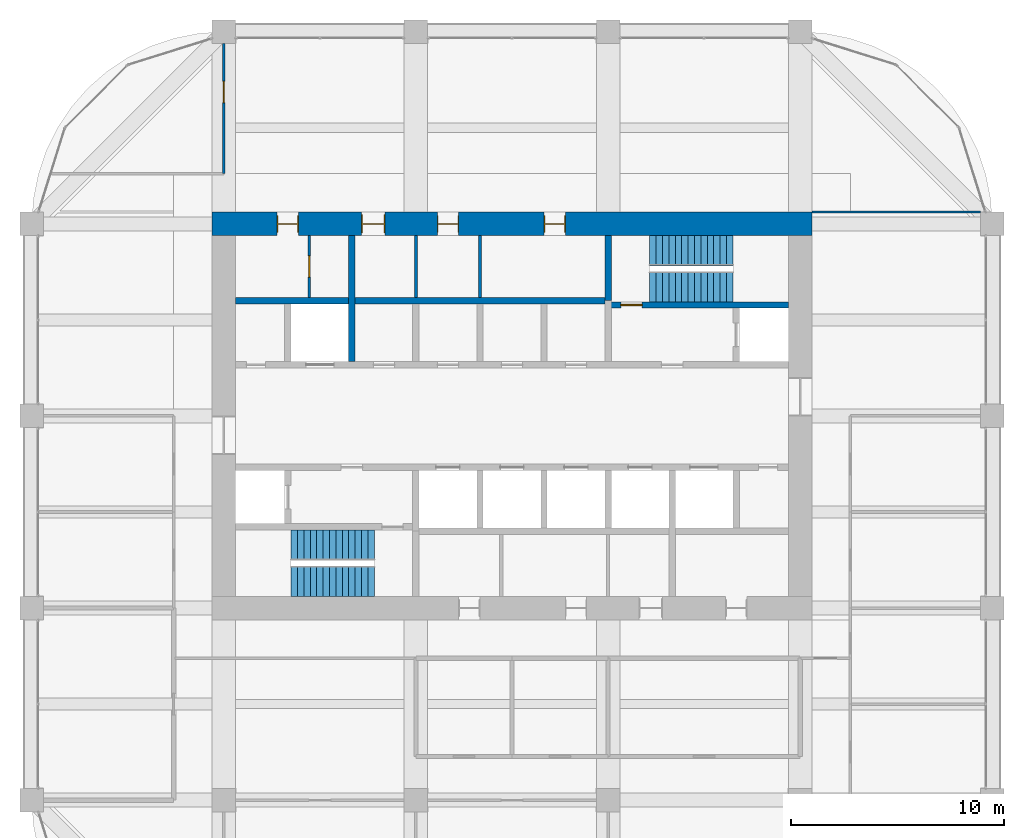
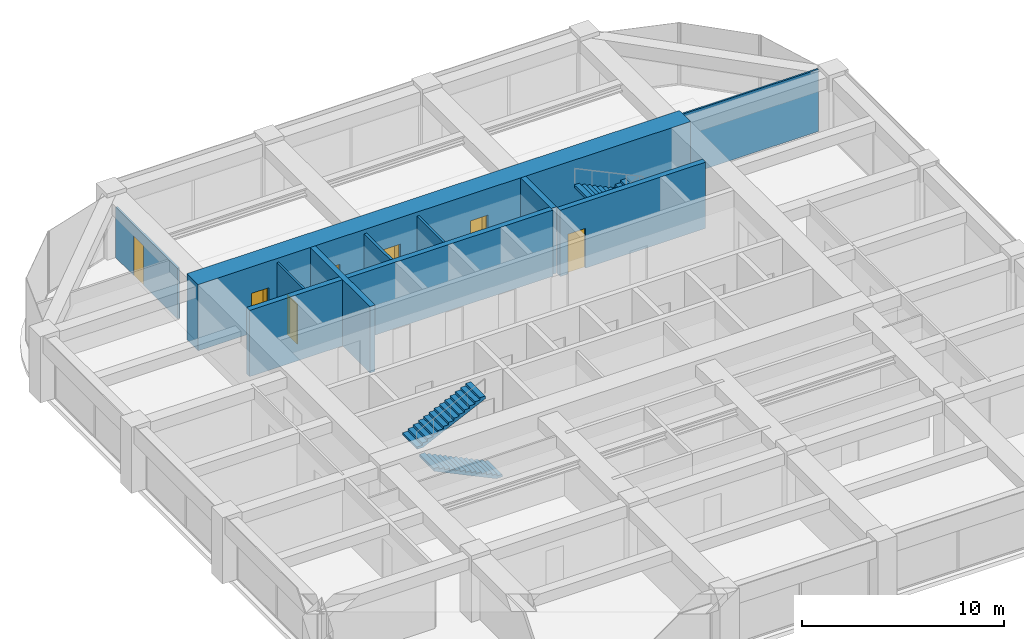
# One storey, part 43 of 44: 10 walls, 7 doors, 4 stair flights, 7 openings, 2 elements without a shape of their own.
"""IFC4 building model written with IfcOpenShell, lengths in metres."""

from ifc_helpers import new_model, si_unit, direction, frame, frame_2d, origin, place, context, subcontext, project, spatial, polyline, rectangle, outline, extrude, material, layer, layer_set, type_object, element, fill, aggregate, save


model = new_model("IFC4")

# Units and contexts
model_context = context("Model", 3, precision=1e-05, world=origin(), true_north=direction((0.0, 1.0)))
body_context = subcontext(model_context, "Body", "Model", "MODEL_VIEW")
ifc_project = project(units=[si_unit("LENGTHUNIT", "METRE"), si_unit("AREAUNIT", "SQUARE_METRE"), si_unit("VOLUMEUNIT", "CUBIC_METRE"), si_unit("PLANEANGLEUNIT", "RADIAN"), si_unit("MASSUNIT", "GRAM", prefix="KILO")], contexts=[model_context])

# Site, building, storey
site_placement = place(None, origin())
site = spatial("IfcSite", under=ifc_project, at=site_placement, CompositionType="ELEMENT")
building_placement = place(site_placement, origin())
building = spatial("IfcBuilding", under=site, at=building_placement, Name="Zorevar Civic Tower", CompositionType="ELEMENT")
storey_placement = place(building_placement, frame((0.0, 0.0, 263.39990234375)))
storey = spatial("IfcBuildingStorey", under=building, at=storey_placement, Name="L64", CompositionType="ELEMENT", Elevation=263.39990234375)

# Wall, openings, doors
ifc_material_1 = material(Name="Concrete C50/60", Category="concrete")
ifc_layer_1 = layer(ifc_material_1, 1.10009765625)
ifc_layer_set_1 = layer_set([ifc_layer_1], Name="Core wall 1100")
wall_type_1 = type_object("IfcWallType", Name="Core wall 1100", PredefinedType="SHEAR", material=ifc_layer_set_1)
wall_1_placement = place(storey_placement, frame((45.550048828125, 36.0, 0.0), z_axis=(0.0, 0.0, 1.0), x_axis=(-1.0, 0.0, 0.0)))
wall_1 = element("IfcWall", 1, at=wall_1_placement, inside=storey, type_object=wall_type_1, Name="Core wall N L64", PredefinedType="SHEAR", context=body_context, shape_type="SweptSolid", body=[
    extrude(rectangle(XDim=28.10009765625, YDim=1.10009765625, at=frame_2d((14.050048828125, 0.0))), origin(), (0.0, 0.0, 1.0), 4.0),
])
opening_1_placement = place(wall_1_placement, frame((11.550048828125, 0.0, 0.0)))
opening_1 = element("IfcOpeningElement", 2, at=opening_1_placement, cuts=wall_1, Name="Opening L64.07", PredefinedType="OPENING", context=body_context, shape_type="SweptSolid", body=[
    extrude(rectangle(XDim=1.0, YDim=2.39990234375, at=frame_2d((0.5, 1.199951171875))), frame((0.0, 0.56005859375, 0.0), z_axis=(0.0, -1.0, 0.0), x_axis=(1.0, 0.0, 0.0)), (0.0, 0.0, 1.0), 1.1201171875),
])
opening_2_placement = place(wall_1_placement, frame((16.550048828125, 0.0, 0.0)))
opening_2 = element("IfcOpeningElement", 3, at=opening_2_placement, cuts=wall_1, Name="Opening L64.08", PredefinedType="OPENING", context=body_context, shape_type="SweptSolid", body=[
    extrude(rectangle(XDim=1.0, YDim=2.39990234375, at=frame_2d((0.5, 1.199951171875))), frame((0.0, 0.56005859375, 0.0), z_axis=(0.0, -1.0, 0.0), x_axis=(1.0, 0.0, 0.0)), (0.0, 0.0, 1.0), 1.1201171875),
])
opening_3_placement = place(wall_1_placement, frame((20.0, 0.0, 0.0)))
opening_3 = element("IfcOpeningElement", 4, at=opening_3_placement, cuts=wall_1, Name="Opening L64.09", PredefinedType="OPENING", context=body_context, shape_type="SweptSolid", body=[
    extrude(rectangle(XDim=1.10009765625, YDim=2.39990234375, at=frame_2d((0.550048828125, 1.199951171875))), frame((0.0, 0.56005859375, 0.0), z_axis=(0.0, -1.0, 0.0), x_axis=(1.0, 0.0, 0.0)), (0.0, 0.0, 1.0), 1.1201171875),
])
opening_4_placement = place(wall_1_placement, frame((24.050048828125, 0.0, 0.0)))
opening_4 = element("IfcOpeningElement", 5, at=opening_4_placement, cuts=wall_1, Name="Opening L64.10", PredefinedType="OPENING", context=body_context, shape_type="SweptSolid", body=[
    extrude(rectangle(XDim=1.0, YDim=2.39990234375, at=frame_2d((0.5, 1.199951171875))), frame((0.0, 0.56005859375, 0.0), z_axis=(0.0, -1.0, 0.0), x_axis=(1.0, 0.0, 0.0)), (0.0, 0.0, 1.0), 1.1201171875),
])
ifc_material_2 = material(Name="Timber door set", Category="wood")
door_type_1 = type_object("IfcDoorType", Name="Door D1 1000x2400", OperationType="SINGLE_SWING_LEFT", PredefinedType="DOOR", material=ifc_material_2)
door_1_placement = place(opening_1_placement, origin())
door_1 = element("IfcDoor", 6, at=door_1_placement, inside=storey, type_object=door_type_1, Name="Door L64 06", OperationType="SINGLE_SWING_LEFT", OverallHeight=2.39990234375, OverallWidth=1.0, PredefinedType="DOOR", context=body_context, shape_type="SweptSolid", body=[
    extrude(rectangle(XDim=1.0, YDim=2.39990234375, at=frame_2d((0.5, 1.199951171875))), frame((0.0, 0.02490234375, 0.0), z_axis=(0.0, -1.0, 0.0), x_axis=(1.0, 0.0, 0.0)), (0.0, 0.0, 1.0), 0.050048828125),
    extrude(rectangle(XDim=0.04, YDim=2.39990234375, at=frame_2d((0.02001953125, 1.199951171875))), frame((0.0, 0.39990234375, 0.0), z_axis=(0.0, -1.0, 0.0), x_axis=(1.0, 0.0, 0.0)), (0.0, 0.0, 1.0), 0.800048828125),
    extrude(rectangle(XDim=0.04, YDim=2.39990234375, at=frame_2d((0.97998046875, 1.199951171875))), frame((0.0, 0.39990234375, 0.0), z_axis=(0.0, -1.0, 0.0), x_axis=(1.0, 0.0, 0.0)), (0.0, 0.0, 1.0), 0.800048828125),
    extrude(rectangle(XDim=1.0, YDim=0.04, at=frame_2d((0.5, 2.3798828125))), frame((0.0, 0.39990234375, 0.0), z_axis=(0.0, -1.0, 0.0), x_axis=(1.0, 0.0, 0.0)), (0.0, 0.0, 1.0), 0.800048828125),
])
fill(opening_1, door_1)
door_2_placement = place(opening_2_placement, origin())
door_2 = element("IfcDoor", 7, at=door_2_placement, inside=storey, type_object=door_type_1, Name="Door L64 07", OperationType="SINGLE_SWING_RIGHT", OverallHeight=2.39990234375, OverallWidth=1.0, PredefinedType="DOOR", context=body_context, shape_type="SweptSolid", body=[
    extrude(rectangle(XDim=1.0, YDim=2.39990234375, at=frame_2d((0.5, 1.199951171875))), frame((0.0, 0.02490234375, 0.0), z_axis=(0.0, -1.0, 0.0), x_axis=(1.0, 0.0, 0.0)), (0.0, 0.0, 1.0), 0.050048828125),
    extrude(rectangle(XDim=0.04, YDim=2.39990234375, at=frame_2d((0.02001953125, 1.199951171875))), frame((0.0, 0.39990234375, 0.0), z_axis=(0.0, -1.0, 0.0), x_axis=(1.0, 0.0, 0.0)), (0.0, 0.0, 1.0), 0.800048828125),
    extrude(rectangle(XDim=0.04, YDim=2.39990234375, at=frame_2d((0.97998046875, 1.199951171875))), frame((0.0, 0.39990234375, 0.0), z_axis=(0.0, -1.0, 0.0), x_axis=(1.0, 0.0, 0.0)), (0.0, 0.0, 1.0), 0.800048828125),
    extrude(rectangle(XDim=1.0, YDim=0.04, at=frame_2d((0.5, 2.3798828125))), frame((0.0, 0.39990234375, 0.0), z_axis=(0.0, -1.0, 0.0), x_axis=(1.0, 0.0, 0.0)), (0.0, 0.0, 1.0), 0.800048828125),
])
fill(opening_2, door_2)
door_3_placement = place(opening_4_placement, origin())
door_3 = element("IfcDoor", 8, at=door_3_placement, inside=storey, type_object=door_type_1, Name="Door L64 09", OperationType="SINGLE_SWING_RIGHT", OverallHeight=2.39990234375, OverallWidth=1.0, PredefinedType="DOOR", context=body_context, shape_type="SweptSolid", body=[
    extrude(rectangle(XDim=1.0, YDim=2.39990234375, at=frame_2d((0.5, 1.199951171875))), frame((0.0, 0.02490234375, 0.0), z_axis=(0.0, -1.0, 0.0), x_axis=(1.0, 0.0, 0.0)), (0.0, 0.0, 1.0), 0.050048828125),
    extrude(rectangle(XDim=0.04, YDim=2.39990234375, at=frame_2d((0.02001953125, 1.199951171875))), frame((0.0, 0.39990234375, 0.0), z_axis=(0.0, -1.0, 0.0), x_axis=(1.0, 0.0, 0.0)), (0.0, 0.0, 1.0), 0.800048828125),
    extrude(rectangle(XDim=0.04, YDim=2.39990234375, at=frame_2d((0.97998046875, 1.199951171875))), frame((0.0, 0.39990234375, 0.0), z_axis=(0.0, -1.0, 0.0), x_axis=(1.0, 0.0, 0.0)), (0.0, 0.0, 1.0), 0.800048828125),
    extrude(rectangle(XDim=1.0, YDim=0.04, at=frame_2d((0.5, 2.3798828125))), frame((0.0, 0.39990234375, 0.0), z_axis=(0.0, -1.0, 0.0), x_axis=(1.0, 0.0, 0.0)), (0.0, 0.0, 1.0), 0.800048828125),
])
fill(opening_4, door_3)
ifc_material_3 = material(Name="Timber door set", Category="wood")
door_type_2 = type_object("IfcDoorType", Name="Door D5 1100x2400", OperationType="SINGLE_SWING_LEFT", PredefinedType="DOOR", material=ifc_material_3)
door_4_placement = place(opening_3_placement, origin())
door_4 = element("IfcDoor", 9, at=door_4_placement, inside=storey, type_object=door_type_2, Name="Door L64 08", OperationType="SINGLE_SWING_RIGHT", OverallHeight=2.39990234375, OverallWidth=1.10009765625, PredefinedType="DOOR", context=body_context, shape_type="SweptSolid", body=[
    extrude(rectangle(XDim=1.10009765625, YDim=2.39990234375, at=frame_2d((0.550048828125, 1.199951171875))), frame((0.0, 0.02490234375, 0.0), z_axis=(0.0, -1.0, 0.0), x_axis=(1.0, 0.0, 0.0)), (0.0, 0.0, 1.0), 0.050048828125),
    extrude(rectangle(XDim=0.04, YDim=2.39990234375, at=frame_2d((0.02001953125, 1.199951171875))), frame((0.0, 0.43994140625, 0.0), z_axis=(0.0, -1.0, 0.0), x_axis=(1.0, 0.0, 0.0)), (0.0, 0.0, 1.0), 0.880126953125),
    extrude(rectangle(XDim=0.04, YDim=2.39990234375, at=frame_2d((1.080078125, 1.199951171875))), frame((0.0, 0.43994140625, 0.0), z_axis=(0.0, -1.0, 0.0), x_axis=(1.0, 0.0, 0.0)), (0.0, 0.0, 1.0), 0.880126953125),
    extrude(rectangle(XDim=1.10009765625, YDim=0.04, at=frame_2d((0.550048828125, 2.3798828125))), frame((0.0, 0.43994140625, 0.0), z_axis=(0.0, -1.0, 0.0), x_axis=(1.0, 0.0, 0.0)), (0.0, 0.0, 1.0), 0.880126953125),
])
fill(opening_3, door_4)

# Wall
ifc_material_4 = material(Name="Laminated glass in black aluminium frame", Category="aluminium")
ifc_layer_2 = layer(ifc_material_4, 0.10009765625)
ifc_layer_set_2 = layer_set([ifc_layer_2], Name="Glazed partition 100")
wall_type_2 = type_object("IfcWallType", Name="Glazed partition 100", PredefinedType="PARTITIONING", material=ifc_layer_set_2)
wall_2_placement = place(storey_placement, frame((45.550048828125, 36.550048828125, 0.0), z_axis=(0.0, 0.0, 1.0), x_axis=(1.0, 0.0, 0.0)))
element("IfcWall", 10, at=wall_2_placement, inside=storey, type_object=wall_type_2, Name="Glazed partition 100 L64", PredefinedType="PARTITIONING", context=body_context, shape_type="SweptSolid", body=[
    extrude(rectangle(XDim=7.89990234375, YDim=0.10009765625, at=frame_2d((3.949951171875, 0.0))), origin(), (0.0, 0.0, 1.0), 3.75),
])

# Wall, opening, door
ifc_material_5 = material(Name="Concrete C40/50", Category="concrete")
ifc_layer_3 = layer(ifc_material_5, 0.300048828125)
ifc_layer_set_3 = layer_set([ifc_layer_3], Name="Inner core wall 300")
wall_type_3 = type_object("IfcWallType", Name="Inner core wall 300", PredefinedType="SHEAR", material=ifc_layer_set_3)
wall_3_placement = place(storey_placement, frame((36.14990234375, 32.199951171875, 0.0), z_axis=(0.0, 0.0, 1.0), x_axis=(1.0, 0.0, 0.0)))
wall_3 = element("IfcWall", 11, at=wall_3_placement, inside=storey, type_object=wall_type_3, Name="Inner core wall N00 L64", PredefinedType="SHEAR", context=body_context, shape_type="SweptSolid", body=[
    extrude(rectangle(XDim=8.300048828125, YDim=0.300048828125, at=frame_2d((4.14990234375, 0.0))), origin(), (0.0, 0.0, 1.0), 4.0),
])
opening_5_placement = place(wall_3_placement, frame((0.449951171875, 0.0, 0.0)))
opening_5 = element("IfcOpeningElement", 12, at=opening_5_placement, cuts=wall_3, Name="Opening L64.12", PredefinedType="OPENING", context=body_context, shape_type="SweptSolid", body=[
    extrude(rectangle(XDim=1.0, YDim=2.39990234375, at=frame_2d((0.5, 1.199951171875))), frame((0.0, 0.159912109375, 0.0), z_axis=(0.0, -1.0, 0.0), x_axis=(1.0, 0.0, 0.0)), (0.0, 0.0, 1.0), 0.320068359375),
])
ifc_material_6 = material(Name="Steel door set", Category="steel")
door_type_3 = type_object("IfcDoorType", Name="Fire door FD1 1000x2400", OperationType="SINGLE_SWING_LEFT", PredefinedType="DOOR", material=ifc_material_6)
door_5_placement = place(opening_5_placement, origin())
door_5 = element("IfcDoor", 13, at=door_5_placement, inside=storey, type_object=door_type_3, Name="Door L64 11", OperationType="SINGLE_SWING_RIGHT", OverallHeight=2.39990234375, OverallWidth=1.0, PredefinedType="DOOR", context=body_context, shape_type="SweptSolid", body=[
    extrude(rectangle(XDim=1.0, YDim=2.39990234375, at=frame_2d((0.5, 1.199951171875))), frame((0.0, 0.030029296875, 0.0), z_axis=(0.0, -1.0, 0.0), x_axis=(1.0, 0.0, 0.0)), (0.0, 0.0, 1.0), 0.06005859375),
])
fill(opening_5, door_5)

# Walls
wall_4_placement = place(storey_placement, frame((36.0, 32.39990234375, 0.0), z_axis=(0.0, 0.0, 1.0), x_axis=(0.0, 1.0, 0.0)))
element("IfcWall", 14, at=wall_4_placement, inside=storey, type_object=wall_type_3, Name="Inner core wall N01 L64", PredefinedType="SHEAR", context=body_context, shape_type="SweptSolid", body=[
    extrude(rectangle(XDim=3.050048828125, YDim=0.300048828125, at=frame_2d((1.52490234375, 0.0))), origin(), (0.0, 0.0, 1.0), 4.0),
])
wall_5_placement = place(storey_placement, frame((18.550048828125, 32.39990234375, 0.0), z_axis=(0.0, 0.0, 1.0), x_axis=(1.0, 0.0, 0.0)))
element("IfcWall", 15, at=wall_5_placement, inside=storey, type_object=wall_type_3, Name="Inner core wall N04 L64", PredefinedType="SHEAR", context=body_context, shape_type="SweptSolid", body=[
    extrude(rectangle(XDim=17.300048828125, YDim=0.300048828125, at=frame_2d((8.64990234375, 0.0))), origin(), (0.0, 0.0, 1.0), 4.0),
])
wall_6_placement = place(storey_placement, frame((24.0, 29.550048828125, 0.0), z_axis=(0.0, 0.0, 1.0), x_axis=(0.0, 1.0, 0.0)))
element("IfcWall", 16, at=wall_6_placement, inside=storey, type_object=wall_type_3, Name="Inner core wall N08 L64", PredefinedType="SHEAR", context=body_context, shape_type="SweptSolid", body=[
    extrude(rectangle(XDim=5.89990234375, YDim=0.300048828125, at=frame_2d((2.949951171875, 0.0))), origin(), (0.0, 0.0, 1.0), 4.0),
])

# Wall, opening, door
ifc_material_7 = material(Name="Gypsum board on steel studs", Category="steel")
ifc_layer_4 = layer(ifc_material_7, 0.1201171875)
ifc_layer_set_4 = layer_set([ifc_layer_4], Name="Partition 120")
wall_type_4 = type_object("IfcWallType", Name="Partition 120", PredefinedType="PARTITIONING", material=ifc_layer_set_4)
wall_7_placement = place(storey_placement, frame((18.0, 38.35009765625, 0.0), z_axis=(0.0, 0.0, 1.0), x_axis=(0.0, 1.0, 0.0)))
wall_7 = element("IfcWall", 17, at=wall_7_placement, inside=storey, type_object=wall_type_4, Name="Partition 120 L64", PredefinedType="PARTITIONING", context=body_context, shape_type="SweptSolid", body=[
    extrude(rectangle(XDim=6.099853515625, YDim=0.1201171875, at=frame_2d((3.0498046875, 0.0))), origin(), (0.0, 0.0, 1.0), 3.050048828125),
])
opening_6_placement = place(wall_7_placement, frame((3.324951171875, 0.0, 0.0)))
opening_6 = element("IfcOpeningElement", 18, at=opening_6_placement, cuts=wall_7, Name="Opening L64.26", PredefinedType="OPENING", context=body_context, shape_type="SweptSolid", body=[
    extrude(rectangle(XDim=1.0, YDim=2.39990234375, at=frame_2d((0.5, 1.199951171875))), frame((0.0, 0.070068359375, 0.0), z_axis=(0.0, -1.0, 0.0), x_axis=(1.0, 0.0, 0.0)), (0.0, 0.0, 1.0), 0.14013671875),
])
door_6_placement = place(opening_6_placement, origin())
door_6 = element("IfcDoor", 19, at=door_6_placement, inside=storey, type_object=door_type_1, Name="Door L64 D1", OperationType="SINGLE_SWING_LEFT", OverallHeight=2.39990234375, OverallWidth=1.0, PredefinedType="DOOR", context=body_context, shape_type="SweptSolid", body=[
    extrude(rectangle(XDim=1.0, YDim=2.39990234375, at=frame_2d((0.5, 1.199951171875))), frame((0.0, 0.02490234375, 0.0), z_axis=(0.0, -1.0, 0.0), x_axis=(1.0, 0.0, 0.0)), (0.0, 0.0, 1.0), 0.050048828125),
])
fill(opening_6, door_6)

# Wall
wall_8_placement = place(storey_placement, frame((30.0, 32.550048828125, 0.0), z_axis=(0.0, 0.0, 1.0), x_axis=(0.0, 1.0, 0.0)))
element("IfcWall", 20, at=wall_8_placement, inside=storey, type_object=wall_type_4, Name="Partition L64", PredefinedType="PARTITIONING", context=body_context, shape_type="SweptSolid", body=[
    extrude(rectangle(XDim=2.89990234375, YDim=0.1201171875, at=frame_2d((1.449951171875, 0.0))), origin(), (0.0, 0.0, 1.0), 3.75),
])

# Wall, opening, door
wall_9_placement = place(storey_placement, frame((22.0, 32.550048828125, 0.0), z_axis=(0.0, 0.0, 1.0), x_axis=(0.0, 1.0, 0.0)))
wall_9 = element("IfcWall", 21, at=wall_9_placement, inside=storey, type_object=wall_type_4, Name="Partition L64", PredefinedType="PARTITIONING", context=body_context, shape_type="SweptSolid", body=[
    extrude(rectangle(XDim=2.89990234375, YDim=0.1201171875, at=frame_2d((1.449951171875, 0.0))), origin(), (0.0, 0.0, 1.0), 3.75),
])
opening_7_placement = place(wall_9_placement, frame((0.949951171875, 0.0, 0.0)))
opening_7 = element("IfcOpeningElement", 22, at=opening_7_placement, cuts=wall_9, Name="Opening L64.31", PredefinedType="OPENING", context=body_context, shape_type="SweptSolid", body=[
    extrude(rectangle(XDim=1.0, YDim=2.39990234375, at=frame_2d((0.5, 1.199951171875))), frame((0.0, 0.070068359375, 0.0), z_axis=(0.0, -1.0, 0.0), x_axis=(1.0, 0.0, 0.0)), (0.0, 0.0, 1.0), 0.14013671875),
])
door_7_placement = place(opening_7_placement, origin())
door_7 = element("IfcDoor", 23, at=door_7_placement, inside=storey, type_object=door_type_3, Name="Door L64 EN", OperationType="SINGLE_SWING_LEFT", OverallHeight=2.39990234375, OverallWidth=1.0, PredefinedType="DOOR", context=body_context, shape_type="SweptSolid", body=[
    extrude(rectangle(XDim=1.0, YDim=2.39990234375, at=frame_2d((0.5, 1.199951171875))), frame((0.0, 0.030029296875, 0.0), z_axis=(0.0, -1.0, 0.0), x_axis=(1.0, 0.0, 0.0)), (0.0, 0.0, 1.0), 0.06005859375),
])
fill(opening_7, door_7)

# Wall
ifc_material_8 = material(Name="Gypsum board on steel studs, moisture resistant", Category="steel")
ifc_layer_5 = layer(ifc_material_8, 0.14990234375)
ifc_layer_set_5 = layer_set([ifc_layer_5], Name="WC partition 150")
wall_type_5 = type_object("IfcWallType", Name="WC partition 150", PredefinedType="PARTITIONING", material=ifc_layer_set_5)
wall_10_placement = place(storey_placement, frame((27.0, 32.550048828125, 0.0), z_axis=(0.0, 0.0, 1.0), x_axis=(0.0, 1.0, 0.0)))
element("IfcWall", 24, at=wall_10_placement, inside=storey, type_object=wall_type_5, Name="WC partition L64", PredefinedType="PARTITIONING", context=body_context, shape_type="SweptSolid", body=[
    extrude(rectangle(XDim=2.89990234375, YDim=0.14990234375, at=frame_2d((1.449951171875, 0.0))), origin(), (0.0, 0.0, 1.0), 3.75),
])

# Stair, stair flights
ifc_material_9 = material(Name="Precast concrete C40/50", Category="concrete")
stair_type = type_object("IfcStairType", Name="Stair ST 28R", PredefinedType="HALF_TURN_STAIR", material=ifc_material_9)
stair_1_placement = place(storey_placement, origin())
stair_1 = element("IfcStair", 25, at=stair_1_placement, inside=storey, type_object=stair_type, Name="Stair ST1 L64", PredefinedType="HALF_TURN_STAIR")
ifc_material_10 = material(Name="Precast concrete C40/50", Category="concrete")
stair_flight_type = type_object("IfcStairFlightType", Name="Stair flight", PredefinedType="STRAIGHT", material=ifc_material_10)
stair_flight_1_placement = place(storey_placement, frame((25.050048828125, 19.262451171875, 0.0), z_axis=(0.0, 0.0, 1.0), x_axis=(-1.0, 0.0, 0.0)))
stair_flight_1 = element("IfcStairFlight", 26, at=stair_flight_1_placement, type_object=stair_flight_type, Name="ST1 flight 1", NumberOfRisers=14, NumberOfTreads=13, PredefinedType="STRAIGHT", RiserHeight=0.142857143, TreadLength=0.3, context=body_context, shape_type="SweptSolid", body=[
    extrude(outline(polyline([(0.0, 0.0), (0.0, 0.142822265625), (0.300048828125, 0.142822265625), (0.300048828125, 0.28564453125), (0.60009765625, 0.28564453125), (0.60009765625, 0.428466796875), (0.89990234375, 0.428466796875), (0.89990234375, 0.571533203125), (1.199951171875, 0.571533203125), (1.199951171875, 0.71435546875), (1.5, 0.71435546875), (1.5, 0.857177734375), (1.800048828125, 0.857177734375), (1.800048828125, 1.0), (2.10009765625, 1.0), (2.10009765625, 1.142822265625), (2.39990234375, 1.142822265625), (2.39990234375, 1.28564453125), (2.699951171875, 1.28564453125), (2.699951171875, 1.428466796875), (3.0, 1.428466796875), (3.0, 1.571533203125), (3.300048828125, 1.571533203125), (3.300048828125, 1.71435546875), (3.60009765625, 1.71435546875), (3.60009765625, 1.857177734375), (3.89990234375, 1.857177734375), (3.89990234375, 2.0), (3.89990234375, 1.691162109375), (0.3486328125, 0.0), (0.0, 0.0)])), frame((0.0, 0.71240234375, 0.0), z_axis=(0.0, -1.0, 0.0), x_axis=(1.0, 0.0, 0.0)), (0.0, 0.0, 1.0), 1.425048828125),
])
stair_flight_2_placement = place(storey_placement, frame((21.14990234375, 20.9375, 2.0), z_axis=(0.0, 0.0, 1.0), x_axis=(1.0, 0.0, 0.0)))
stair_flight_2 = element("IfcStairFlight", 27, at=stair_flight_2_placement, type_object=stair_flight_type, Name="ST1 flight 2", NumberOfRisers=14, NumberOfTreads=13, PredefinedType="STRAIGHT", RiserHeight=0.142857143, TreadLength=0.3, context=body_context, shape_type="SweptSolid", body=[
    extrude(outline(polyline([(0.0, 0.0), (0.0, 0.142822265625), (0.300048828125, 0.142822265625), (0.300048828125, 0.28564453125), (0.60009765625, 0.28564453125), (0.60009765625, 0.428466796875), (0.89990234375, 0.428466796875), (0.89990234375, 0.571533203125), (1.199951171875, 0.571533203125), (1.199951171875, 0.71435546875), (1.5, 0.71435546875), (1.5, 0.857177734375), (1.800048828125, 0.857177734375), (1.800048828125, 1.0), (2.10009765625, 1.0), (2.10009765625, 1.142822265625), (2.39990234375, 1.142822265625), (2.39990234375, 1.28564453125), (2.699951171875, 1.28564453125), (2.699951171875, 1.428466796875), (3.0, 1.428466796875), (3.0, 1.571533203125), (3.300048828125, 1.571533203125), (3.300048828125, 1.71435546875), (3.60009765625, 1.71435546875), (3.60009765625, 1.857177734375), (3.89990234375, 1.857177734375), (3.89990234375, 2.0), (3.89990234375, 1.691162109375), (0.3486328125, 0.0), (0.0, 0.0)])), frame((0.0, 0.71240234375, 0.0), z_axis=(0.0, -1.0, 0.0), x_axis=(1.0, 0.0, 0.0)), (0.0, 0.0, 1.0), 1.425048828125),
])
aggregate(stair_1, [stair_flight_1, stair_flight_2])

stair_2_placement = place(storey_placement, origin())
stair_2 = element("IfcStair", 28, at=stair_2_placement, inside=storey, type_object=stair_type, Name="Stair ST2 L64", PredefinedType="HALF_TURN_STAIR")
stair_flight_3_placement = place(storey_placement, frame((37.949951171875, 34.737548828125, 0.0), z_axis=(0.0, 0.0, 1.0), x_axis=(1.0, 0.0, 0.0)))
stair_flight_3 = element("IfcStairFlight", 29, at=stair_flight_3_placement, type_object=stair_flight_type, Name="ST2 flight 1", NumberOfRisers=14, NumberOfTreads=13, PredefinedType="STRAIGHT", RiserHeight=0.142857143, TreadLength=0.3, context=body_context, shape_type="SweptSolid", body=[
    extrude(outline(polyline([(0.0, 0.0), (0.0, 0.142822265625), (0.300048828125, 0.142822265625), (0.300048828125, 0.28564453125), (0.60009765625, 0.28564453125), (0.60009765625, 0.428466796875), (0.89990234375, 0.428466796875), (0.89990234375, 0.571533203125), (1.199951171875, 0.571533203125), (1.199951171875, 0.71435546875), (1.5, 0.71435546875), (1.5, 0.857177734375), (1.800048828125, 0.857177734375), (1.800048828125, 1.0), (2.10009765625, 1.0), (2.10009765625, 1.142822265625), (2.39990234375, 1.142822265625), (2.39990234375, 1.28564453125), (2.699951171875, 1.28564453125), (2.699951171875, 1.428466796875), (3.0, 1.428466796875), (3.0, 1.571533203125), (3.300048828125, 1.571533203125), (3.300048828125, 1.71435546875), (3.60009765625, 1.71435546875), (3.60009765625, 1.857177734375), (3.89990234375, 1.857177734375), (3.89990234375, 2.0), (3.89990234375, 1.691162109375), (0.3486328125, 0.0), (0.0, 0.0)])), frame((0.0, 0.71240234375, 0.0), z_axis=(0.0, -1.0, 0.0), x_axis=(1.0, 0.0, 0.0)), (0.0, 0.0, 1.0), 1.425048828125),
])
stair_flight_4_placement = place(storey_placement, frame((41.85009765625, 33.0625, 2.0), z_axis=(0.0, 0.0, 1.0), x_axis=(-1.0, 0.0, 0.0)))
stair_flight_4 = element("IfcStairFlight", 30, at=stair_flight_4_placement, type_object=stair_flight_type, Name="ST2 flight 2", NumberOfRisers=14, NumberOfTreads=13, PredefinedType="STRAIGHT", RiserHeight=0.142857143, TreadLength=0.3, context=body_context, shape_type="SweptSolid", body=[
    extrude(outline(polyline([(0.0, 0.0), (0.0, 0.142822265625), (0.300048828125, 0.142822265625), (0.300048828125, 0.28564453125), (0.60009765625, 0.28564453125), (0.60009765625, 0.428466796875), (0.89990234375, 0.428466796875), (0.89990234375, 0.571533203125), (1.199951171875, 0.571533203125), (1.199951171875, 0.71435546875), (1.5, 0.71435546875), (1.5, 0.857177734375), (1.800048828125, 0.857177734375), (1.800048828125, 1.0), (2.10009765625, 1.0), (2.10009765625, 1.142822265625), (2.39990234375, 1.142822265625), (2.39990234375, 1.28564453125), (2.699951171875, 1.28564453125), (2.699951171875, 1.428466796875), (3.0, 1.428466796875), (3.0, 1.571533203125), (3.300048828125, 1.571533203125), (3.300048828125, 1.71435546875), (3.60009765625, 1.71435546875), (3.60009765625, 1.857177734375), (3.89990234375, 1.857177734375), (3.89990234375, 2.0), (3.89990234375, 1.691162109375), (0.3486328125, 0.0), (0.0, 0.0)])), frame((0.0, 0.71240234375, 0.0), z_axis=(0.0, -1.0, 0.0), x_axis=(1.0, 0.0, 0.0)), (0.0, 0.0, 1.0), 1.425048828125),
])
aggregate(stair_2, [stair_flight_3, stair_flight_4])

save(model, "model.ifc")
